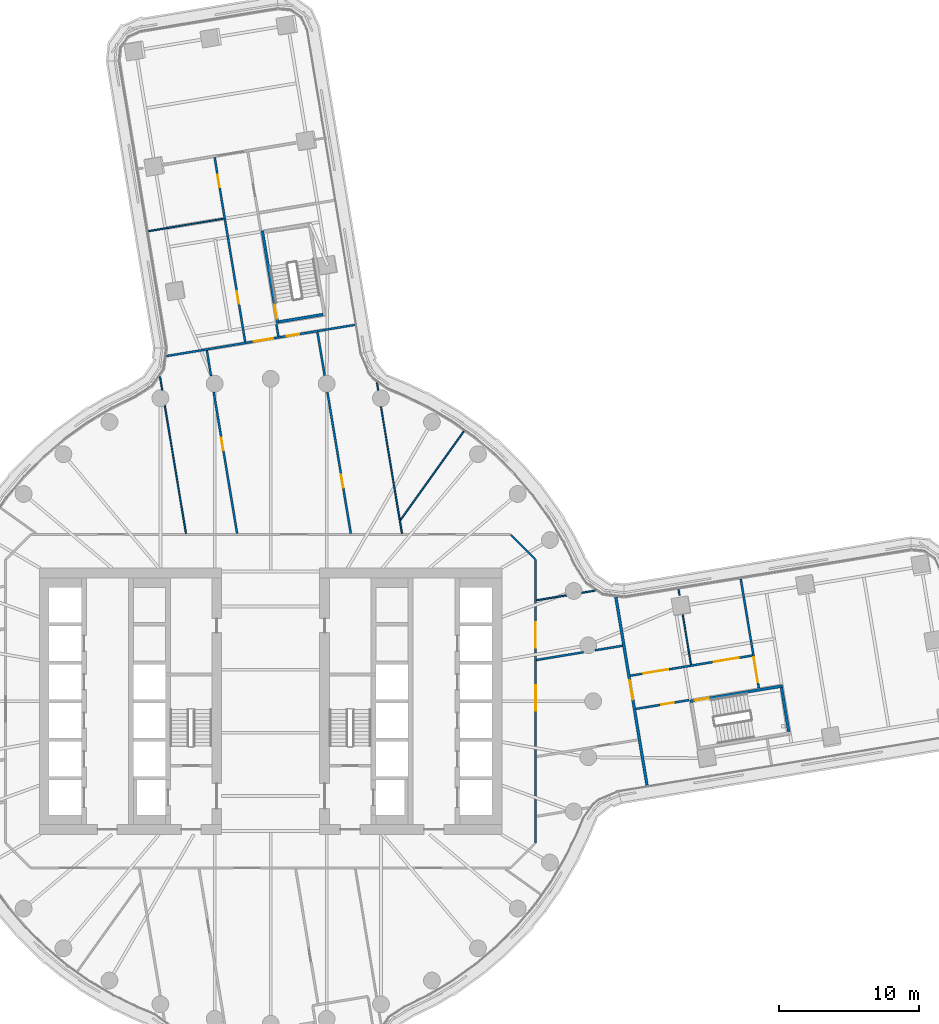
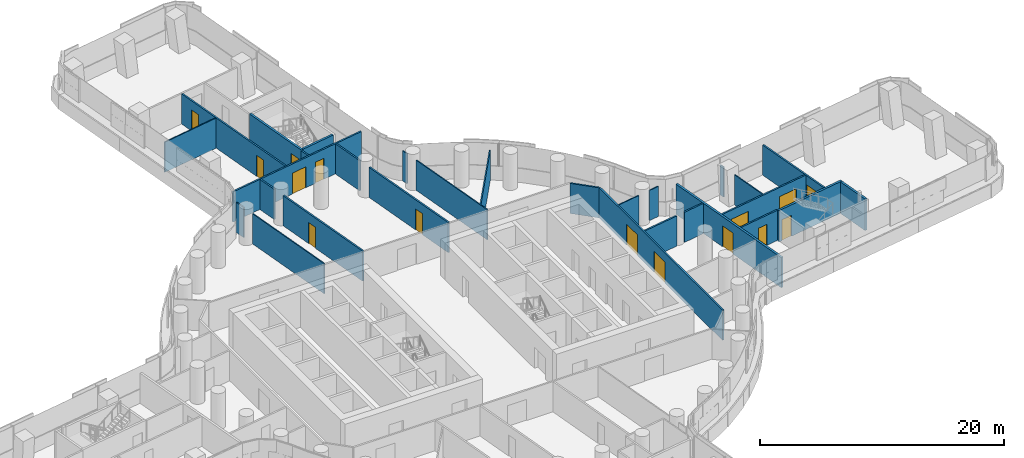
# One storey, part 23 of 32: 29 walls, 15 doors, 15 openings.
"""IFC4 building model written with IfcOpenShell, lengths in metres."""

from ifc_helpers import new_model, si_unit, direction, frame, frame_2d, origin, place, context, subcontext, project, spatial, polyline, rectangle, outline, extrude, material, layer, layer_set, type_object, element, fill, save


model = new_model("IFC4")

# Units and contexts
model_context = context("Model", 3, precision=1e-05, world=origin(), true_north=direction((0.0, 1.0)))
body_context = subcontext(model_context, "Body", "Model", "MODEL_VIEW")
ifc_project = project(units=[si_unit("LENGTHUNIT", "METRE"), si_unit("AREAUNIT", "SQUARE_METRE"), si_unit("VOLUMEUNIT", "CUBIC_METRE"), si_unit("PLANEANGLEUNIT", "RADIAN"), si_unit("MASSUNIT", "GRAM", prefix="KILO")], contexts=[model_context])

# Site, building, storey
site_placement = place(None, origin())
site = spatial("IfcSite", under=ifc_project, at=site_placement, CompositionType="ELEMENT")
building_placement = place(site_placement, origin())
building = spatial("IfcBuilding", under=site, at=building_placement, Name="Tamarind Cross Interchange Tower", CompositionType="ELEMENT")
storey_placement = place(building_placement, frame((0.0, 0.0, 67.75)))
storey = spatial("IfcBuildingStorey", under=building, at=storey_placement, Name="L15", CompositionType="ELEMENT", Elevation=67.75)

# Walls
ifc_material_1 = material(Name="Gypsum board partition on steel studs", Category="steel")
ifc_layer_1 = layer(ifc_material_1, 0.10009765625)
ifc_layer_set_1 = layer_set([ifc_layer_1], Name="Gypsum board partition on steel studs")
wall_type_1 = type_object("IfcWallType", Name="Partition 100 mm EI 90", PredefinedType="PARTITIONING", material=ifc_layer_set_1)
wall_1_placement = place(storey_placement, frame((-7.893798828125, 23.15087890625, 0.0), z_axis=(0.0, 0.0, 1.0), x_axis=(0.163263648391, -0.986582475576, 0.0)))
element("IfcWall", 1, at=wall_1_placement, inside=storey, type_object=wall_type_1, Name="Partition L15-006", PredefinedType="PARTITIONING", context=body_context, shape_type="SweptSolid", body=[
    extrude(rectangle(XDim=0.9765625, YDim=0.10009765625, at=frame_2d((0.48828125, 0.0))), origin(), (0.0, 0.0, 1.0), 3.010009765625),
])
wall_2_placement = place(storey_placement, frame((-7.552978515625, 21.093017578125, 0.0), z_axis=(0.0, 0.0, 1.0), x_axis=(0.163346366562, -0.986568783477, 0.0)))
element("IfcWall", 2, at=wall_2_placement, inside=storey, type_object=wall_type_1, Name="Partition L15-007", PredefinedType="PARTITIONING", context=body_context, shape_type="SweptSolid", body=[
    extrude(rectangle(XDim=9.253173828125, YDim=0.10009765625, at=frame_2d((4.62646484375, 0.0))), origin(), (0.0, 0.0, 1.0), 3.010009765625),
])
wall_3_placement = place(storey_placement, frame((7.5830078125, 22.725341796875, 0.0), z_axis=(0.0, 0.0, 1.0), x_axis=(0.163552479212, -0.986534635248, 0.0)))
element("IfcWall", 3, at=wall_3_placement, inside=storey, type_object=wall_type_1, Name="Partition L15-024", PredefinedType="PARTITIONING", context=body_context, shape_type="SweptSolid", body=[
    extrude(rectangle(XDim=0.561279296875, YDim=0.10009765625, at=frame_2d((0.28076171875, 0.0))), origin(), (0.0, 0.0, 1.0), 3.010009765625),
])
wall_4_placement = place(storey_placement, frame((7.868408203125, 21.00341796875, 0.0), z_axis=(0.0, 0.0, 1.0), x_axis=(0.163392122056, -0.986561206642, 0.0)))
element("IfcWall", 4, at=wall_4_placement, inside=storey, type_object=wall_type_1, Name="Partition L15-025", PredefinedType="PARTITIONING", context=body_context, shape_type="SweptSolid", body=[
    extrude(rectangle(XDim=9.162353515625, YDim=0.10009765625, at=frame_2d((4.5810546875, 0.0))), origin(), (0.0, 0.0, 1.0), 3.010009765625),
])
wall_5_placement = place(storey_placement, frame((29.090087890625, 7.985595703125, 0.0), z_axis=(0.0, 0.0, 1.0), x_axis=(0.163664266238, -0.986516096147, 0.0)))
element("IfcWall", 5, at=wall_5_placement, inside=storey, type_object=wall_type_1, Name="Partition L15-027", PredefinedType="PARTITIONING", context=body_context, shape_type="SweptSolid", body=[
    extrude(rectangle(XDim=0.43115234375, YDim=0.10009765625, at=frame_2d((0.215576171875, 0.0))), origin(), (0.0, 0.0, 1.0), 3.010009765625),
])
wall_6_placement = place(storey_placement, frame((29.39208984375, 6.162109375, 0.0), z_axis=(0.0, 0.0, 1.0), x_axis=(0.163397152616, -0.986560373478, 0.0)))
element("IfcWall", 6, at=wall_6_placement, inside=storey, type_object=wall_type_1, Name="Partition L15-028", PredefinedType="PARTITIONING", context=body_context, shape_type="SweptSolid", body=[
    extrude(rectangle(XDim=3.596435546875, YDim=0.10009765625, at=frame_2d((1.79833984375, 0.0))), origin(), (0.0, 0.0, 1.0), 3.010009765625),
])
wall_7_placement = place(storey_placement, frame((-8.71533203125, 33.531005859375, 0.0), z_axis=(0.0, 0.0, 1.0), x_axis=(0.986563231063, 0.163379898138, 0.0)))
element("IfcWall", 7, at=wall_7_placement, inside=storey, type_object=wall_type_1, Name="Partition L15-050", PredefinedType="PARTITIONING", context=body_context, shape_type="SweptSolid", body=[
    extrude(rectangle(XDim=5.439208984375, YDim=0.10009765625, at=frame_2d((2.7197265625, 0.0))), origin(), (0.0, 0.0, 1.0), 3.010009765625),
])
wall_8_placement = place(storey_placement, frame((18.964111328125, 7.20068359375, 0.0), z_axis=(0.0, 0.0, 1.0), x_axis=(0.986582854275, 0.163261359945, 0.0)))
element("IfcWall", 8, at=wall_8_placement, inside=storey, type_object=wall_type_1, Name="Partition L15-065", PredefinedType="PARTITIONING", context=body_context, shape_type="SweptSolid", body=[
    extrude(rectangle(XDim=2.157958984375, YDim=0.10009765625, at=frame_2d((1.0791015625, 0.0))), origin(), (0.0, 0.0, 1.0), 3.010009765625),
])
wall_9_placement = place(storey_placement, frame((22.1875, 7.734375, 0.0), z_axis=(0.0, 0.0, 1.0), x_axis=(0.986582475576, 0.163263648391, 0.0)))
element("IfcWall", 9, at=wall_9_placement, inside=storey, type_object=wall_type_1, Name="Partition L15-066", PredefinedType="PARTITIONING", context=body_context, shape_type="SweptSolid", body=[
    extrude(rectangle(XDim=0.9765625, YDim=0.10009765625, at=frame_2d((0.48828125, 0.0))), origin(), (0.0, 0.0, 1.0), 3.010009765625),
])
wall_10_placement = place(storey_placement, frame((9.272216796875, 12.955078125, 0.0), z_axis=(0.0, 0.0, 1.0), x_axis=(0.582049126749, 0.813153622663, 0.0)))
element("IfcWall", 10, at=wall_10_placement, inside=storey, type_object=wall_type_1, Name="Partition L15-074", PredefinedType="PARTITIONING", context=body_context, shape_type="SweptSolid", body=[
    extrude(rectangle(XDim=7.743408203125, YDim=0.10009765625, at=frame_2d((3.87158203125, 0.0))), origin(), (0.0, 0.0, 1.0), 3.010009765625),
])
ifc_layer_2 = layer(ifc_material_1, 0.14990234375)
ifc_layer_set_2 = layer_set([ifc_layer_2], Name="Gypsum board partition on steel studs")
wall_type_2 = type_object("IfcWallType", Name="Partition 150 mm EI 120", PredefinedType="PARTITIONING", material=ifc_layer_set_2)
wall_11_placement = place(storey_placement, frame((-4.5546875, 25.02099609375, 0.0), z_axis=(0.0, 0.0, 1.0), x_axis=(0.163374185192, -0.986564177138, 0.0)))
element("IfcWall", 11, at=wall_11_placement, inside=storey, type_object=wall_type_2, Name="Partition L15-009", PredefinedType="PARTITIONING", context=body_context, shape_type="SweptSolid", body=[
    extrude(rectangle(XDim=1.8544921875, YDim=0.14990234375, at=frame_2d((0.92724609375, 0.0))), origin(), (0.0, 0.0, 1.0), 3.010009765625),
])

# Wall, opening, door
wall_12_placement = place(storey_placement, frame((-4.064208984375, 22.059326171875, 0.0), z_axis=(0.0, 0.0, 1.0), x_axis=(0.163369243385, -0.986564995485, 0.0)))
wall_12 = element("IfcWall", 12, at=wall_12_placement, inside=storey, type_object=wall_type_2, Name="Partition L15-010", PredefinedType="PARTITIONING", context=body_context, shape_type="SweptSolid", body=[
    extrude(rectangle(XDim=10.227783203125, YDim=0.14990234375, at=frame_2d((5.11376953125, 0.0))), origin(), (0.0, 0.0, 1.0), 3.010009765625),
])
opening_1_placement = place(wall_12_placement, frame((3.300048828125, 0.0, 0.0)))
opening_1 = element("IfcOpeningElement", 13, at=opening_1_placement, cuts=wall_12, Name="Opening D04", PredefinedType="OPENING", context=body_context, shape_type="SweptSolid", body=[
    extrude(rectangle(XDim=0.89990234375, YDim=2.10009765625, at=frame_2d((0.449951171875, 1.050048828125))), frame((0.0, 0.0849609375, 0.0), z_axis=(0.0, -1.0, 0.0), x_axis=(1.0, 0.0, 0.0)), (0.0, 0.0, 1.0), 0.169921875),
])
ifc_material_2 = material(Name="Fire-resisting door set")
door_type_1 = type_object("IfcDoorType", Name="Interior door 900 x 2100 FD60S", OperationType="SINGLE_SWING_LEFT", PredefinedType="DOOR", material=ifc_material_2)
door_1_placement = place(opening_1_placement, frame((0.89990234375, 0.0, 0.0), z_axis=(0.0, 0.0, 1.0), x_axis=(-1.0, 0.0, 0.0)))
door_1 = element("IfcDoor", 14, at=door_1_placement, inside=storey, type_object=door_type_1, Name="Door D04", OperationType="SINGLE_SWING_LEFT", OverallHeight=2.10009765625, OverallWidth=0.89990234375, PredefinedType="DOOR", context=body_context, shape_type="SweptSolid", body=[
    extrude(rectangle(XDim=0.89990234375, YDim=2.10009765625, at=frame_2d((0.449951171875, 1.050048828125))), frame((0.0, 0.02490234375, 0.0), z_axis=(0.0, -1.0, 0.0), x_axis=(1.0, 0.0, 0.0)), (0.0, 0.0, 1.0), 0.050048828125),
])
fill(opening_1, door_1)

# Wall, openings, doors
wall_13_placement = place(storey_placement, frame((-3.997802734375, 38.797119140625, 0.0), z_axis=(0.0, 0.0, 1.0), x_axis=(0.163352007266, -0.986567849528, 0.0)))
wall_13 = element("IfcWall", 15, at=wall_13_placement, inside=storey, type_object=wall_type_2, Name="Partition L15-011", PredefinedType="PARTITIONING", context=body_context, shape_type="SweptSolid", body=[
    extrude(rectangle(XDim=13.349365234375, YDim=0.14990234375, at=frame_2d((6.6748046875, 0.0))), origin(), (0.0, 0.0, 1.0), 3.010009765625),
])
opening_2_placement = place(wall_13_placement, frame((9.67431640625, 0.0, 0.0)))
opening_2 = element("IfcOpeningElement", 16, at=opening_2_placement, cuts=wall_13, Name="Opening D05", PredefinedType="OPENING", context=body_context, shape_type="SweptSolid", body=[
    extrude(rectangle(XDim=0.89990234375, YDim=2.10009765625, at=frame_2d((0.449951171875, 1.050048828125))), frame((0.0, 0.0849609375, 0.0), z_axis=(0.0, -1.0, 0.0), x_axis=(1.0, 0.0, 0.0)), (0.0, 0.0, 1.0), 0.169921875),
])
opening_3_placement = place(wall_13_placement, frame((1.27490234375, 0.0, 0.0)))
opening_3 = element("IfcOpeningElement", 17, at=opening_3_placement, cuts=wall_13, Name="Opening D06", PredefinedType="OPENING", context=body_context, shape_type="SweptSolid", body=[
    extrude(rectangle(XDim=0.89990234375, YDim=2.10009765625, at=frame_2d((0.449951171875, 1.050048828125))), frame((0.0, 0.0849609375, 0.0), z_axis=(0.0, -1.0, 0.0), x_axis=(1.0, 0.0, 0.0)), (0.0, 0.0, 1.0), 0.169921875),
])
door_2_placement = place(opening_2_placement, frame((0.89990234375, 0.0, 0.0), z_axis=(0.0, 0.0, 1.0), x_axis=(-1.0, 0.0, 0.0)))
door_2 = element("IfcDoor", 18, at=door_2_placement, inside=storey, type_object=door_type_1, Name="Door D05", OperationType="SINGLE_SWING_RIGHT", OverallHeight=2.10009765625, OverallWidth=0.89990234375, PredefinedType="DOOR", context=body_context, shape_type="SweptSolid", body=[
    extrude(rectangle(XDim=0.89990234375, YDim=2.10009765625, at=frame_2d((0.449951171875, 1.050048828125))), frame((0.0, 0.02490234375, 0.0), z_axis=(0.0, -1.0, 0.0), x_axis=(1.0, 0.0, 0.0)), (0.0, 0.0, 1.0), 0.050048828125),
])
fill(opening_2, door_2)
door_3_placement = place(opening_3_placement, frame((0.89990234375, 0.0, 0.0), z_axis=(0.0, 0.0, 1.0), x_axis=(-1.0, 0.0, 0.0)))
door_3 = element("IfcDoor", 19, at=door_3_placement, inside=storey, type_object=door_type_1, Name="Door D06", OperationType="SINGLE_SWING_LEFT", OverallHeight=2.10009765625, OverallWidth=0.89990234375, PredefinedType="DOOR", context=body_context, shape_type="SweptSolid", body=[
    extrude(rectangle(XDim=0.89990234375, YDim=2.10009765625, at=frame_2d((0.449951171875, 1.050048828125))), frame((0.0, 0.02490234375, 0.0), z_axis=(0.0, -1.0, 0.0), x_axis=(1.0, 0.0, 0.0)), (0.0, 0.0, 1.0), 0.050048828125),
])
fill(opening_3, door_3)

# Walls
wall_14_placement = place(storey_placement, frame((0.406005859375, 26.89306640625, 0.0), z_axis=(0.0, 0.0, 1.0), x_axis=(0.163415774423, -0.986557289097, 0.0)))
element("IfcWall", 20, at=wall_14_placement, inside=storey, type_object=wall_type_2, Name="Partition L15-014", PredefinedType="PARTITIONING", context=body_context, shape_type="SweptSolid", body=[
    extrude(rectangle(XDim=0.885986328125, YDim=0.14990234375, at=frame_2d((0.44287109375, 0.0))), origin(), (0.0, 0.0, 1.0), 3.010009765625),
])
wall_15_placement = place(storey_placement, frame((3.338134765625, 26.322998046875, 0.0), z_axis=(0.0, 0.0, 1.0), x_axis=(0.163365932173, -0.986565543796, 0.0)))
element("IfcWall", 21, at=wall_15_placement, inside=storey, type_object=wall_type_2, Name="Partition L15-019", PredefinedType="PARTITIONING", context=body_context, shape_type="SweptSolid", body=[
    extrude(rectangle(XDim=3.142822265625, YDim=0.14990234375, at=frame_2d((1.5712890625, 0.0))), origin(), (0.0, 0.0, 1.0), 3.010009765625),
])

# Wall, opening, door
wall_16_placement = place(storey_placement, frame((4.045166015625, 22.05419921875, 0.0), z_axis=(0.0, 0.0, 1.0), x_axis=(0.163403587198, -0.986559307741, 0.0)))
wall_16 = element("IfcWall", 22, at=wall_16_placement, inside=storey, type_object=wall_type_2, Name="Partition L15-020", PredefinedType="PARTITIONING", context=body_context, shape_type="SweptSolid", body=[
    extrude(rectangle(XDim=10.22265625, YDim=0.14990234375, at=frame_2d((5.111328125, 0.0))), origin(), (0.0, 0.0, 1.0), 3.010009765625),
])
opening_4_placement = place(wall_16_placement, frame((6.0, 0.0, 0.0)))
opening_4 = element("IfcOpeningElement", 23, at=opening_4_placement, cuts=wall_16, Name="Opening D14", PredefinedType="OPENING", context=body_context, shape_type="SweptSolid", body=[
    extrude(rectangle(XDim=0.89990234375, YDim=2.10009765625, at=frame_2d((0.449951171875, 1.050048828125))), frame((0.0, 0.0849609375, 0.0), z_axis=(0.0, -1.0, 0.0), x_axis=(1.0, 0.0, 0.0)), (0.0, 0.0, 1.0), 0.169921875),
])
door_4_placement = place(opening_4_placement, origin())
door_4 = element("IfcDoor", 24, at=door_4_placement, inside=storey, type_object=door_type_1, Name="Door D14", OperationType="SINGLE_SWING_LEFT", OverallHeight=2.10009765625, OverallWidth=0.89990234375, PredefinedType="DOOR", context=body_context, shape_type="SweptSolid", body=[
    extrude(rectangle(XDim=0.89990234375, YDim=2.10009765625, at=frame_2d((0.449951171875, 1.050048828125))), frame((0.0, 0.02490234375, 0.0), z_axis=(0.0, -1.0, 0.0), x_axis=(1.0, 0.0, 0.0)), (0.0, 0.0, 1.0), 0.050048828125),
])
fill(opening_4, door_4)

wall_17_placement = place(storey_placement, frame((33.531005859375, 8.71533203125, 0.0), z_axis=(0.0, 0.0, 1.0), x_axis=(0.163383357689, -0.986562658137, 0.0)))
wall_17 = element("IfcWall", 25, at=wall_17_placement, inside=storey, type_object=wall_type_2, Name="Partition L15-029", PredefinedType="PARTITIONING", context=body_context, shape_type="SweptSolid", body=[
    extrude(rectangle(XDim=7.874755859375, YDim=0.14990234375, at=frame_2d((3.9375, 0.0))), origin(), (0.0, 0.0, 1.0), 3.010009765625),
])
opening_5_placement = place(wall_17_placement, frame((5.664306640625, 0.0, 0.0)))
opening_5 = element("IfcOpeningElement", 26, at=opening_5_placement, cuts=wall_17, Name="Opening D16", PredefinedType="OPENING", context=body_context, shape_type="SweptSolid", body=[
    extrude(rectangle(XDim=1.800048828125, YDim=2.10009765625, at=frame_2d((0.89990234375, 1.050048828125))), frame((0.0, 0.0849609375, 0.0), z_axis=(0.0, -1.0, 0.0), x_axis=(1.0, 0.0, 0.0)), (0.0, 0.0, 1.0), 0.169921875),
])
door_type_2 = type_object("IfcDoorType", Name="Interior door 1800 x 2100 FD60S", OperationType="DOUBLE_DOOR_SINGLE_SWING", PredefinedType="DOOR", material=ifc_material_2)
door_5_placement = place(opening_5_placement, origin())
door_5 = element("IfcDoor", 27, at=door_5_placement, inside=storey, type_object=door_type_2, Name="Door D16", OperationType="DOUBLE_DOOR_SINGLE_SWING", OverallHeight=2.10009765625, OverallWidth=1.800048828125, PredefinedType="DOOR", context=body_context, shape_type="SweptSolid", body=[
    extrude(rectangle(XDim=1.800048828125, YDim=2.10009765625, at=frame_2d((0.89990234375, 1.050048828125))), frame((0.0, 0.02490234375, 0.0), z_axis=(0.0, -1.0, 0.0), x_axis=(1.0, 0.0, 0.0)), (0.0, 0.0, 1.0), 0.050048828125),
])
fill(opening_5, door_5)

# Wall
wall_18_placement = place(storey_placement, frame((17.12841796875, 11.87158203125, 0.0), z_axis=(0.0, 0.0, 1.0), x_axis=(0.707106781187, -0.707106781187, 0.0)))
element("IfcWall", 28, at=wall_18_placement, inside=storey, type_object=wall_type_2, Name="Partition L15-032", PredefinedType="PARTITIONING", context=body_context, shape_type="SweptSolid", body=[
    extrude(rectangle(XDim=2.465087890625, YDim=0.14990234375, at=frame_2d((1.232421875, 0.0))), origin(), (0.0, 0.0, 1.0), 3.010009765625),
])

# Wall, openings, doors
wall_19_placement = place(storey_placement, frame((-7.424560546875, 24.6220703125, 0.0), z_axis=(0.0, 0.0, 1.0), x_axis=(0.986581108453, 0.163271909537, 0.0)))
wall_19 = element("IfcWall", 29, at=wall_19_placement, inside=storey, type_object=wall_type_2, Name="Partition L15-052", PredefinedType="PARTITIONING", context=body_context, shape_type="SweptSolid", body=[
    extrude(rectangle(XDim=13.59521484375, YDim=0.14990234375, at=frame_2d((6.797607421875, 0.0))), origin(), (0.0, 0.0, 1.0), 3.010009765625),
])
opening_6_placement = place(wall_19_placement, frame((6.296142578125, 0.0, 0.0)))
opening_6 = element("IfcOpeningElement", 30, at=opening_6_placement, cuts=wall_19, Name="Opening D29", PredefinedType="OPENING", context=body_context, shape_type="SweptSolid", body=[
    extrude(rectangle(XDim=1.39990234375, YDim=2.10009765625, at=frame_2d((0.699951171875, 1.050048828125))), frame((0.0, 0.0849609375, 0.0), z_axis=(0.0, -1.0, 0.0), x_axis=(1.0, 0.0, 0.0)), (0.0, 0.0, 1.0), 0.169921875),
])
opening_7_placement = place(wall_19_placement, frame((8.6962890625, 0.0, 0.0)))
opening_7 = element("IfcOpeningElement", 31, at=opening_7_placement, cuts=wall_19, Name="Opening D30", PredefinedType="OPENING", context=body_context, shape_type="SweptSolid", body=[
    extrude(rectangle(XDim=0.89990234375, YDim=2.10009765625, at=frame_2d((0.449951171875, 1.050048828125))), frame((0.0, 0.0849609375, 0.0), z_axis=(0.0, -1.0, 0.0), x_axis=(1.0, 0.0, 0.0)), (0.0, 0.0, 1.0), 0.169921875),
])
door_type_3 = type_object("IfcDoorType", Name="Interior door 1400 x 2100 FD60S", OperationType="DOUBLE_DOOR_SINGLE_SWING", PredefinedType="DOOR", material=ifc_material_2)
door_6_placement = place(opening_6_placement, frame((1.39990234375, 0.0, 0.0), z_axis=(0.0, 0.0, 1.0), x_axis=(-1.0, 0.0, 0.0)))
door_6 = element("IfcDoor", 32, at=door_6_placement, inside=storey, type_object=door_type_3, Name="Door D29", OperationType="DOUBLE_DOOR_SINGLE_SWING", OverallHeight=2.10009765625, OverallWidth=1.39990234375, PredefinedType="DOOR", context=body_context, shape_type="SweptSolid", body=[
    extrude(rectangle(XDim=1.39990234375, YDim=2.10009765625, at=frame_2d((0.699951171875, 1.050048828125))), frame((0.0, 0.02490234375, 0.0), z_axis=(0.0, -1.0, 0.0), x_axis=(1.0, 0.0, 0.0)), (0.0, 0.0, 1.0), 0.050048828125),
])
fill(opening_6, door_6)
door_7_placement = place(opening_7_placement, origin())
door_7 = element("IfcDoor", 33, at=door_7_placement, inside=storey, type_object=door_type_1, Name="Door D30", OperationType="SINGLE_SWING_LEFT", OverallHeight=2.10009765625, OverallWidth=0.89990234375, PredefinedType="DOOR", context=body_context, shape_type="SweptSolid", body=[
    extrude(rectangle(XDim=0.89990234375, YDim=2.10009765625, at=frame_2d((0.449951171875, 1.050048828125))), frame((0.0, 0.02490234375, 0.0), z_axis=(0.0, -1.0, 0.0), x_axis=(1.0, 0.0, 0.0)), (0.0, 0.0, 1.0), 0.050048828125),
])
fill(opening_7, door_7)

# Walls
wall_20_placement = place(storey_placement, frame((18.968994140625, 2.9443359375, 0.0), z_axis=(0.0, 0.0, 1.0), x_axis=(0.986566632444, 0.163359357698, 0.0)))
element("IfcWall", 34, at=wall_20_placement, inside=storey, type_object=wall_type_2, Name="Partition L15-063", PredefinedType="PARTITIONING", context=body_context, shape_type="SweptSolid", body=[
    extrude(rectangle(XDim=3.3896484375, YDim=0.14990234375, at=frame_2d((1.69482421875, 0.0))), origin(), (0.0, 0.0, 1.0), 3.010009765625),
])
wall_21_placement = place(storey_placement, frame((23.1220703125, 3.632080078125, 0.0), z_axis=(0.0, 0.0, 1.0), x_axis=(0.986558466043, 0.163408668924, 0.0)))
element("IfcWall", 35, at=wall_21_placement, inside=storey, type_object=wall_type_2, Name="Partition L15-064", PredefinedType="PARTITIONING", context=body_context, shape_type="SweptSolid", body=[
    extrude(rectangle(XDim=1.9990234375, YDim=0.14990234375, at=frame_2d((0.99951171875, 0.0))), origin(), (0.0, 0.0, 1.0), 3.010009765625),
])

# Wall, openings, doors
wall_22_placement = place(storey_placement, frame((25.651611328125, 1.8212890625, 0.0), z_axis=(0.0, 0.0, 1.0), x_axis=(0.986570557948, 0.163335648864, 0.0)))
wall_22 = element("IfcWall", 36, at=wall_22_placement, inside=storey, type_object=wall_type_2, Name="Partition L15-069", PredefinedType="PARTITIONING", context=body_context, shape_type="SweptSolid", body=[
    extrude(rectangle(XDim=8.82470703125, YDim=0.14990234375, at=frame_2d((4.412353515625, 0.0))), origin(), (0.0, 0.0, 1.0), 3.010009765625),
])
opening_8_placement = place(wall_22_placement, frame((6.04931640625, 0.0, 0.0)))
opening_8 = element("IfcOpeningElement", 37, at=opening_8_placement, cuts=wall_22, Name="Opening D36", PredefinedType="OPENING", context=body_context, shape_type="SweptSolid", body=[
    extrude(rectangle(XDim=1.800048828125, YDim=2.10009765625, at=frame_2d((0.89990234375, 1.050048828125))), frame((0.0, 0.0849609375, 0.0), z_axis=(0.0, -1.0, 0.0), x_axis=(1.0, 0.0, 0.0)), (0.0, 0.0, 1.0), 0.169921875),
])
opening_9_placement = place(wall_22_placement, frame((0.949951171875, 0.0, 0.0)))
opening_9 = element("IfcOpeningElement", 38, at=opening_9_placement, cuts=wall_22, Name="Opening D37", PredefinedType="OPENING", context=body_context, shape_type="SweptSolid", body=[
    extrude(rectangle(XDim=1.800048828125, YDim=2.10009765625, at=frame_2d((0.89990234375, 1.050048828125))), frame((0.0, 0.0849609375, 0.0), z_axis=(0.0, -1.0, 0.0), x_axis=(1.0, 0.0, 0.0)), (0.0, 0.0, 1.0), 0.169921875),
])
door_8_placement = place(opening_8_placement, origin())
door_8 = element("IfcDoor", 39, at=door_8_placement, inside=storey, type_object=door_type_2, Name="Door D36", OperationType="DOUBLE_DOOR_SINGLE_SWING", OverallHeight=2.10009765625, OverallWidth=1.800048828125, PredefinedType="DOOR", context=body_context, shape_type="SweptSolid", body=[
    extrude(rectangle(XDim=1.800048828125, YDim=2.10009765625, at=frame_2d((0.89990234375, 1.050048828125))), frame((0.0, 0.02490234375, 0.0), z_axis=(0.0, -1.0, 0.0), x_axis=(1.0, 0.0, 0.0)), (0.0, 0.0, 1.0), 0.050048828125),
])
fill(opening_8, door_8)
door_9_placement = place(opening_9_placement, origin())
door_9 = element("IfcDoor", 40, at=door_9_placement, inside=storey, type_object=door_type_2, Name="Door D37", OperationType="DOUBLE_DOOR_SINGLE_SWING", OverallHeight=2.10009765625, OverallWidth=1.800048828125, PredefinedType="DOOR", context=body_context, shape_type="SweptSolid", body=[
    extrude(rectangle(XDim=1.800048828125, YDim=2.10009765625, at=frame_2d((0.89990234375, 1.050048828125))), frame((0.0, 0.02490234375, 0.0), z_axis=(0.0, -1.0, 0.0), x_axis=(1.0, 0.0, 0.0)), (0.0, 0.0, 1.0), 0.050048828125),
])
fill(opening_9, door_9)

# Wall, opening, door
wall_23_placement = place(storey_placement, frame((26.043701171875, -0.546630859375, 0.0), z_axis=(0.0, 0.0, 1.0), x_axis=(0.986559268982, 0.163403821211, 0.0)))
wall_23 = element("IfcWall", 41, at=wall_23_placement, inside=storey, type_object=wall_type_2, Name="Partition L15-070", PredefinedType="PARTITIONING", context=body_context, shape_type="SweptSolid", body=[
    extrude(rectangle(XDim=3.859130859375, YDim=0.14990234375, at=frame_2d((1.9296875, 0.0))), origin(), (0.0, 0.0, 1.0), 3.010009765625),
])
opening_10_placement = place(wall_23_placement, frame((1.85009765625, 0.0, 0.0)))
opening_10 = element("IfcOpeningElement", 42, at=opening_10_placement, cuts=wall_23, Name="Opening D38", PredefinedType="OPENING", context=body_context, shape_type="SweptSolid", body=[
    extrude(rectangle(XDim=0.89990234375, YDim=2.10009765625, at=frame_2d((0.449951171875, 1.050048828125))), frame((0.0, 0.0849609375, 0.0), z_axis=(0.0, -1.0, 0.0), x_axis=(1.0, 0.0, 0.0)), (0.0, 0.0, 1.0), 0.169921875),
])
door_10_placement = place(opening_10_placement, frame((0.89990234375, 0.0, 0.0), z_axis=(0.0, 0.0, 1.0), x_axis=(-1.0, 0.0, 0.0)))
door_10 = element("IfcDoor", 43, at=door_10_placement, inside=storey, type_object=door_type_1, Name="Door D38", OperationType="SINGLE_SWING_RIGHT", OverallHeight=2.10009765625, OverallWidth=0.89990234375, PredefinedType="DOOR", context=body_context, shape_type="SweptSolid", body=[
    extrude(rectangle(XDim=0.89990234375, YDim=2.10009765625, at=frame_2d((0.449951171875, 1.050048828125))), frame((0.0, 0.02490234375, 0.0), z_axis=(0.0, -1.0, 0.0), x_axis=(1.0, 0.0, 0.0)), (0.0, 0.0, 1.0), 0.050048828125),
])
fill(opening_10, door_10)

# Wall, openings, doors
wall_24_placement = place(storey_placement, frame((18.89990234375, -10.10009765625, 0.0), z_axis=(0.0, 0.0, 1.0), x_axis=(0.0, 1.0, 0.0)))
wall_24 = element("IfcWall", 44, at=wall_24_placement, inside=storey, type_object=wall_type_2, Name="Partition L15-076", PredefinedType="PARTITIONING", context=body_context, shape_type="SweptSolid", body=[
    extrude(rectangle(XDim=20.2001953125, YDim=0.14990234375, at=frame_2d((10.10009765625, 0.0))), origin(), (0.0, 0.0, 1.0), 3.010009765625),
])
opening_11_placement = place(wall_24_placement, frame((9.43994140625, 0.0, 0.0)))
opening_11 = element("IfcOpeningElement", 45, at=opening_11_placement, cuts=wall_24, Name="Opening D40", PredefinedType="OPENING", context=body_context, shape_type="SweptSolid", body=[
    extrude(rectangle(XDim=1.800048828125, YDim=2.10009765625, at=frame_2d((0.89990234375, 1.050048828125))), frame((0.0, 0.0849609375, 0.0), z_axis=(0.0, -1.0, 0.0), x_axis=(1.0, 0.0, 0.0)), (0.0, 0.0, 1.0), 0.169921875),
])
opening_12_placement = place(wall_24_placement, frame((13.93310546875, 0.0, 0.0)))
opening_12 = element("IfcOpeningElement", 46, at=opening_12_placement, cuts=wall_24, Name="Opening D41", PredefinedType="OPENING", context=body_context, shape_type="SweptSolid", body=[
    extrude(rectangle(XDim=1.800048828125, YDim=2.10009765625, at=frame_2d((0.89990234375, 1.050048828125))), frame((0.0, 0.0849609375, 0.0), z_axis=(0.0, -1.0, 0.0), x_axis=(1.0, 0.0, 0.0)), (0.0, 0.0, 1.0), 0.169921875),
])
door_11_placement = place(opening_11_placement, origin())
door_11 = element("IfcDoor", 47, at=door_11_placement, inside=storey, type_object=door_type_2, Name="Door D40", OperationType="DOUBLE_DOOR_SINGLE_SWING", OverallHeight=2.10009765625, OverallWidth=1.800048828125, PredefinedType="DOOR", context=body_context, shape_type="SweptSolid", body=[
    extrude(rectangle(XDim=1.800048828125, YDim=2.10009765625, at=frame_2d((0.89990234375, 1.050048828125))), frame((0.0, 0.02490234375, 0.0), z_axis=(0.0, -1.0, 0.0), x_axis=(1.0, 0.0, 0.0)), (0.0, 0.0, 1.0), 0.050048828125),
])
fill(opening_11, door_11)
door_12_placement = place(opening_12_placement, frame((1.800048828125, 0.0, 0.0), z_axis=(0.0, 0.0, 1.0), x_axis=(-1.0, 0.0, 0.0)))
door_12 = element("IfcDoor", 48, at=door_12_placement, inside=storey, type_object=door_type_2, Name="Door D41", OperationType="DOUBLE_DOOR_SINGLE_SWING", OverallHeight=2.10009765625, OverallWidth=1.800048828125, PredefinedType="DOOR", context=body_context, shape_type="SweptSolid", body=[
    extrude(rectangle(XDim=1.800048828125, YDim=2.10009765625, at=frame_2d((0.89990234375, 1.050048828125))), frame((0.0, 0.02490234375, 0.0), z_axis=(0.0, -1.0, 0.0), x_axis=(1.0, 0.0, 0.0)), (0.0, 0.0, 1.0), 0.050048828125),
])
fill(opening_12, door_12)

# Wall, opening, door
ifc_layer_3 = layer(ifc_material_1, 0.199951171875)
ifc_layer_set_3 = layer_set([ifc_layer_3], Name="Gypsum board partition on steel studs")
wall_type_3 = type_object("IfcWallType", Name="Partition 200 mm EI 180", PredefinedType="PARTITIONING", material=ifc_layer_set_3)
wall_25_placement = place(storey_placement, frame((24.6220703125, 7.424560546875, 0.0), z_axis=(0.0, 0.0, 1.0), x_axis=(0.163289388503, -0.986578215654, 0.0)))
wall_25 = element("IfcWall", 49, at=wall_25_placement, inside=storey, type_object=wall_type_3, Name="Partition L15-026", PredefinedType="PARTITIONING", context=body_context, shape_type="SweptSolid", body=[
    extrude(rectangle(XDim=13.59521484375, YDim=0.199951171875, at=frame_2d((6.797607421875, 0.0))), origin(), (0.0, 0.0, 1.0), 3.010009765625),
])
opening_13_placement = place(wall_25_placement, frame((5.99609375, 0.0, 0.0)))
opening_13 = element("IfcOpeningElement", 50, at=opening_13_placement, cuts=wall_25, Name="Opening D15", PredefinedType="OPENING", context=body_context, shape_type="SweptSolid", body=[
    extrude(rectangle(XDim=1.39990234375, YDim=2.10009765625, at=frame_2d((0.699951171875, 1.050048828125))), frame((0.0, 0.10986328125, 0.0), z_axis=(0.0, -1.0, 0.0), x_axis=(1.0, 0.0, 0.0)), (0.0, 0.0, 1.0), 0.219970703125),
])
door_type_4 = type_object("IfcDoorType", Name="Interior door 1400 x 2100 FD120S", OperationType="DOUBLE_DOOR_SINGLE_SWING", PredefinedType="DOOR", material=ifc_material_2)
door_13_placement = place(opening_13_placement, frame((1.39990234375, 0.0, 0.0), z_axis=(0.0, 0.0, 1.0), x_axis=(-1.0, 0.0, 0.0)))
door_13 = element("IfcDoor", 51, at=door_13_placement, inside=storey, type_object=door_type_4, Name="Door D15", OperationType="DOUBLE_DOOR_SINGLE_SWING", OverallHeight=2.10009765625, OverallWidth=1.39990234375, PredefinedType="DOOR", context=body_context, shape_type="SweptSolid", body=[
    extrude(rectangle(XDim=1.39990234375, YDim=2.10009765625, at=frame_2d((0.699951171875, 1.050048828125))), frame((0.0, 0.02490234375, 0.0), z_axis=(0.0, -1.0, 0.0), x_axis=(1.0, 0.0, 0.0)), (0.0, 0.0, 1.0), 0.050048828125),
])
fill(opening_13, door_13)

ifc_material_3 = material(Name="Concrete C40", Category="concrete")
ifc_layer_4 = layer(ifc_material_3, 0.199951171875)
ifc_layer_set_4 = layer_set([ifc_layer_4], Name="Concrete C40")
wall_type_4 = type_object("IfcWallType", Name="Stair shaft wall 200 mm Concrete C40", PredefinedType="SHEAR", material=ifc_layer_set_4)
wall_26_placement = place(storey_placement, frame((29.90771484375, -0.00830078125, -0.139892578125), z_axis=(0.0, 0.0, 1.0), x_axis=(0.986560836674, 0.1633943559, 0.0)))
wall_26 = element("IfcWall", 52, at=wall_26_placement, inside=storey, type_object=wall_type_4, Name="Core wall CWL-L15-ST3-H", PredefinedType="SHEAR", context=body_context, shape_type="SweptSolid", body=[
    extrude(rectangle(XDim=6.699951171875, YDim=0.199951171875, at=frame_2d((3.35009765625, 0.0))), origin(), (0.0, 0.0, 1.0), 3.14990234375),
])
opening_14_placement = place(wall_26_placement, frame((0.35009765625, 0.0, 0.0)))
opening_14 = element("IfcOpeningElement", 53, at=opening_14_placement, cuts=wall_26, Name="Opening ST3L15", PredefinedType="OPENING", context=body_context, shape_type="SweptSolid", body=[
    extrude(rectangle(XDim=1.0, YDim=2.10009765625, at=frame_2d((0.5, 1.050048828125))), frame((0.0, 0.10986328125, 0.0), z_axis=(0.0, -1.0, 0.0), x_axis=(1.0, 0.0, 0.0)), (0.0, 0.0, 1.0), 0.219970703125),
])
ifc_material_4 = material(Name="Steel, fire-resisting", Category="steel")
door_type_5 = type_object("IfcDoorType", Name="Core fire door 1000 x 2100 FD90", OperationType="SINGLE_SWING_LEFT", PredefinedType="DOOR", material=ifc_material_4)
door_14_placement = place(opening_14_placement, origin())
door_14 = element("IfcDoor", 54, at=door_14_placement, inside=storey, type_object=door_type_5, Name="L15 stair door ST3", OperationType="SINGLE_SWING_LEFT", OverallHeight=2.10009765625, OverallWidth=1.0, PredefinedType="DOOR", context=body_context, shape_type="SweptSolid", body=[
    extrude(rectangle(XDim=1.0, YDim=2.10009765625, at=frame_2d((0.5, 1.050048828125))), frame((0.0, 0.02490234375, 0.0), z_axis=(0.0, -1.0, 0.0), x_axis=(1.0, 0.0, 0.0)), (0.0, 0.0, 1.0), 0.050048828125),
])
fill(opening_14, door_14)

# Wall
wall_27_placement = place(storey_placement, frame((0.0, 0.0, -0.139892578125)))
element("IfcWall", 55, at=wall_27_placement, inside=storey, type_object=wall_type_4, Name="Core wall CWL-L15-ST3-CF", PredefinedType="SHEAR", context=body_context, shape_type="SweptSolid", body=[
    extrude(outline(polyline([(36.859375, -2.201904296875), (37.056640625, -2.169189453125), (36.533935546875, 0.98779296875), (36.336669921875, 0.955078125), (36.859375, -2.201904296875)])), origin(), (0.0, 0.0, 1.0), 3.14990234375),
])

# Wall, opening, door
wall_28_placement = place(storey_placement, frame((0.498291015625, 26.947998046875, -0.139892578125), z_axis=(0.0, 0.0, 1.0), x_axis=(-0.1633943559, 0.986560836674, 0.0)))
wall_28 = element("IfcWall", 56, at=wall_28_placement, inside=storey, type_object=wall_type_4, Name="Core wall CWL-L15-ST4-H", PredefinedType="SHEAR", context=body_context, shape_type="SweptSolid", body=[
    extrude(rectangle(XDim=6.699951171875, YDim=0.199951171875, at=frame_2d((3.35009765625, 0.0))), origin(), (0.0, 0.0, 1.0), 3.14990234375),
])
opening_15_placement = place(wall_28_placement, frame((0.35009765625, 0.0, 0.0)))
opening_15 = element("IfcOpeningElement", 57, at=opening_15_placement, cuts=wall_28, Name="Opening ST4L15", PredefinedType="OPENING", context=body_context, shape_type="SweptSolid", body=[
    extrude(rectangle(XDim=1.0, YDim=2.10009765625, at=frame_2d((0.5, 1.050048828125))), frame((0.0, 0.10986328125, 0.0), z_axis=(0.0, -1.0, 0.0), x_axis=(1.0, 0.0, 0.0)), (0.0, 0.0, 1.0), 0.219970703125),
])
door_15_placement = place(opening_15_placement, origin())
door_15 = element("IfcDoor", 58, at=door_15_placement, inside=storey, type_object=door_type_5, Name="L15 stair door ST4", OperationType="SINGLE_SWING_LEFT", OverallHeight=2.10009765625, OverallWidth=1.0, PredefinedType="DOOR", context=body_context, shape_type="SweptSolid", body=[
    extrude(rectangle(XDim=1.0, YDim=2.10009765625, at=frame_2d((0.5, 1.050048828125))), frame((0.0, 0.02490234375, 0.0), z_axis=(0.0, -1.0, 0.0), x_axis=(1.0, 0.0, 0.0)), (0.0, 0.0, 1.0), 0.050048828125),
])
fill(opening_15, door_15)

# Wall
wall_29_placement = place(storey_placement, frame((3.737548828125, 27.585693359375, -0.139892578125), z_axis=(0.0, 0.0, 1.0), x_axis=(-0.98656863518, -0.163347262232, 0.0)))
element("IfcWall", 59, at=wall_29_placement, inside=storey, type_object=wall_type_4, Name="Core wall CWL-L15-ST4-CE", PredefinedType="SHEAR", context=body_context, shape_type="SweptSolid", body=[
    extrude(rectangle(XDim=3.199951171875, YDim=0.199951171875, at=frame_2d((1.60009765625, 0.0))), origin(), (0.0, 0.0, 1.0), 3.14990234375),
])

save(model, "model.ifc")
